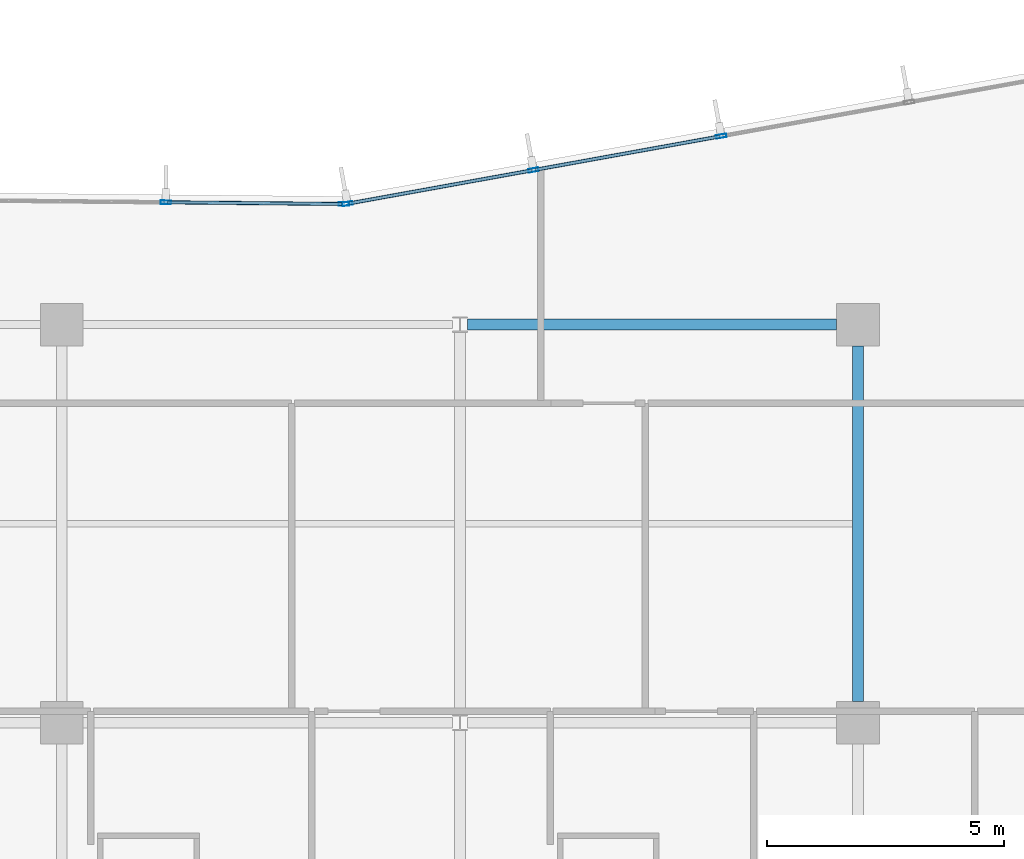
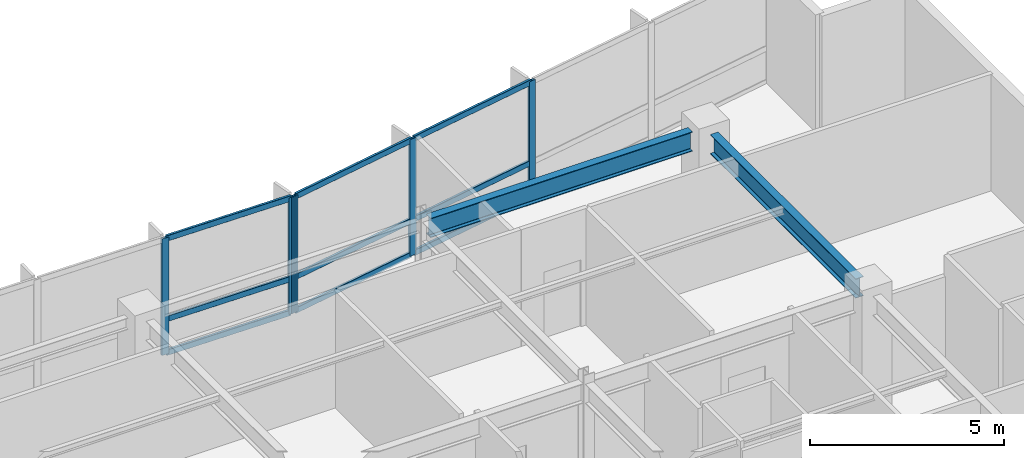
# One storey, part 6 of 19: 14 members, 2 beams, 2 elements without a shape of their own.
"""IFC4 building model written with IfcOpenShell, lengths in metres."""

from ifc_helpers import new_model, si_unit, direction, frame, origin, origin_2d, place, context, subcontext, project, spatial, hollow_rectangle, i_section, extrude, material, layer, layer_set, material_profile, profile_set, type_object, element, aggregate, save


model = new_model("IFC4")

# Units and contexts
model_context = context("Model", 3, precision=1e-05, world=origin(), true_north=direction((0.0, 1.0)))
body_context = subcontext(model_context, "Body", "Model", "MODEL_VIEW")
ifc_project = project(units=[si_unit("LENGTHUNIT", "METRE"), si_unit("AREAUNIT", "SQUARE_METRE"), si_unit("VOLUMEUNIT", "CUBIC_METRE"), si_unit("PLANEANGLEUNIT", "RADIAN"), si_unit("MASSUNIT", "GRAM", prefix="KILO")], contexts=[model_context])

# Site, building, storey
site_placement = place(None, origin())
site = spatial("IfcSite", under=ifc_project, at=site_placement, CompositionType="ELEMENT")
building_placement = place(site_placement, origin())
building = spatial("IfcBuilding", under=site, at=building_placement, Name="Varnakote Quay Hospital", CompositionType="ELEMENT")
storey_placement = place(building_placement, frame((0.0, 0.0, 93.60009765625)))
storey = spatial("IfcBuildingStorey", under=building, at=storey_placement, Name="L23", CompositionType="ELEMENT", Elevation=93.60009765625)

# Beams
ifc_material_1 = material(Name="Structural steel AS/NZS 3679.1 Grade 350 L0 (fy 340 MPa)", Category="steel")
ifc_material_profile_1 = material_profile(ifc_material_1, i_section(OverallWidth=0.22900390625, OverallDepth=0.612060546875, WebThickness=0.011962890625, FlangeThickness=0.01953125, FilletRadius=0.013916015625, at=origin_2d()), Name="610UB125")
ifc_profile_set_1 = profile_set([ifc_material_profile_1], Name="Structural steel AS/NZS 3679.1 Grade 350 L0 (fy 340 MPa)")
beam_type = type_object("IfcBeamType", Name="BM-STL-610UB125", PredefinedType="BEAM", material=ifc_profile_set_1)
beam_1_placement = place(storey_placement, frame((42.155517578125, 28.800048828125, 3.364013671875), z_axis=(1.0, 0.0, 0.0), x_axis=(0.0, 1.0, 0.0)))
element("IfcBeam", 1, at=beam_1_placement, inside=storey, type_object=beam_type, Name="L23 Primary Floor Beam", PredefinedType="BEAM", context=body_context, shape_type="SweptSolid", body=[
    extrude(i_section(OverallWidth=0.22900390625, OverallDepth=0.612060546875, WebThickness=0.011962890625, FlangeThickness=0.01953125, FilletRadius=0.013916015625, at=origin_2d()), origin(), (0.0, 0.0, 1.0), 7.79443359375),
])
beam_2_placement = place(storey_placement, frame((50.39990234375, 20.85009765625, 3.364013671875), z_axis=(0.0, 1.0, 0.0), x_axis=(-1.0, 0.0, 0.0)))
element("IfcBeam", 2, at=beam_2_placement, inside=storey, type_object=beam_type, Name="L23 Primary Tie Beam", PredefinedType="BEAM", context=body_context, shape_type="SweptSolid", body=[
    extrude(i_section(OverallWidth=0.22900390625, OverallDepth=0.612060546875, WebThickness=0.011962890625, FlangeThickness=0.01953125, FilletRadius=0.013916015625, at=origin_2d()), origin(), (0.0, 0.0, 1.0), 7.5),
])

# Curtain wall, members
ifc_material_2 = material(Name="Anodised aluminium 6063-T6 Bronze", Category="aluminium")
ifc_layer = layer(ifc_material_2, 0.18994140625)
ifc_layer_set = layer_set([ifc_layer], Name="Anodised aluminium 6063-T6 Bronze")
curtain_wall_type = type_object("IfcCurtainWallType", Name="CW-SYS-2", PredefinedType="NOTDEFINED", material=ifc_layer_set)
curtain_wall_1_placement = place(storey_placement, origin())
curtain_wall_1 = element("IfcCurtainWall", 3, at=curtain_wall_1_placement, inside=storey, type_object=curtain_wall_type, Name="L23 Unitised Bronze Curtain Wall 1", PredefinedType="NOTDEFINED")
ifc_material_3 = material(Name="Anodised aluminium 6063-T6 Bronze", Category="aluminium")
ifc_material_profile_2 = material_profile(ifc_material_3, hollow_rectangle(XDim=0.074951171875, YDim=0.219970703125, WallThickness=0.00439453125, InnerFilletRadius=0.00439453125, OuterFilletRadius=0.009033203125, at=origin_2d()), Name="CW-MULL-220x75")
ifc_profile_set_2 = profile_set([ifc_material_profile_2], Name="Anodised aluminium 6063-T6 Bronze")
member_type_1 = type_object("IfcMemberType", Name="CW-MULL-220x75", PredefinedType="MULLION", material=ifc_profile_set_2)
member_1_placement = place(storey_placement, frame((47.514892578125, 32.776123046875, 0.0), z_axis=(0.0, 0.0, 1.0), x_axis=(0.177846199098, -0.984058295766, 0.0)))
member_1 = element("IfcMember", 4, at=member_1_placement, type_object=member_type_1, Name="-2-L23-1 mullion 3", PredefinedType="MULLION", context=body_context, shape_type="SweptSolid", body=[
    extrude(hollow_rectangle(XDim=0.074951171875, YDim=0.219970703125, WallThickness=0.00439453125, InnerFilletRadius=0.00439453125, OuterFilletRadius=0.009033203125, at=origin_2d()), origin(), (0.0, 0.0, 1.0), 3.669921875),
])
member_2_placement = place(storey_placement, frame((43.55224609375, 32.06005859375, 0.0), z_axis=(0.0, 0.0, 1.0), x_axis=(0.177846199098, -0.984058295766, 0.0)))
member_2 = element("IfcMember", 5, at=member_2_placement, type_object=member_type_1, Name="-2-L23-1 mullion 4", PredefinedType="MULLION", context=body_context, shape_type="SweptSolid", body=[
    extrude(hollow_rectangle(XDim=0.074951171875, YDim=0.219970703125, WallThickness=0.00439453125, InnerFilletRadius=0.00439453125, OuterFilletRadius=0.009033203125, at=origin_2d()), origin(), (0.0, 0.0, 1.0), 3.669921875),
])
member_3_placement = place(storey_placement, frame((39.62646484375, 31.3505859375, 0.0), z_axis=(0.0, 0.0, 1.0), x_axis=(0.177846199098, -0.984058295766, 0.0)))
member_3 = element("IfcMember", 6, at=member_3_placement, type_object=member_type_1, Name="-2-L23-1 mullion 5", PredefinedType="MULLION", context=body_context, shape_type="SweptSolid", body=[
    extrude(hollow_rectangle(XDim=0.074951171875, YDim=0.219970703125, WallThickness=0.00439453125, InnerFilletRadius=0.00439453125, OuterFilletRadius=0.009033203125, at=origin_2d()), origin(), (0.0, 0.0, 1.0), 3.669921875),
])

curtain_wall_2_placement = place(storey_placement, origin())
curtain_wall_2 = element("IfcCurtainWall", 7, at=curtain_wall_2_placement, inside=storey, type_object=curtain_wall_type, Name="L23 Unitised Bronze Curtain Wall 2", PredefinedType="NOTDEFINED")
member_4_placement = place(storey_placement, frame((39.552001953125, 31.34423828125, 0.0), z_axis=(0.0, 0.0, 1.0), x_axis=(-0.009774266312, -0.999952230718, 0.0)))
member_4 = element("IfcMember", 8, at=member_4_placement, type_object=member_type_1, Name="-2-L23-2 mullion 1", PredefinedType="MULLION", context=body_context, shape_type="SweptSolid", body=[
    extrude(hollow_rectangle(XDim=0.074951171875, YDim=0.219970703125, WallThickness=0.00439453125, InnerFilletRadius=0.00439453125, OuterFilletRadius=0.009033203125, at=origin_2d()), origin(), (0.0, 0.0, 1.0), 3.669921875),
])
member_5_placement = place(storey_placement, frame((35.794189453125, 31.381103515625, 0.0), z_axis=(0.0, 0.0, 1.0), x_axis=(-0.009774266312, -0.999952230718, 0.0)))
member_5 = element("IfcMember", 9, at=member_5_placement, type_object=member_type_1, Name="-2-L23-2 mullion 2", PredefinedType="MULLION", context=body_context, shape_type="SweptSolid", body=[
    extrude(hollow_rectangle(XDim=0.074951171875, YDim=0.219970703125, WallThickness=0.00439453125, InnerFilletRadius=0.00439453125, OuterFilletRadius=0.009033203125, at=origin_2d()), origin(), (0.0, 0.0, 1.0), 3.669921875),
])

# Member
ifc_material_4 = material(Name="Anodised aluminium 6063-T6 Bronze", Category="aluminium")
ifc_material_profile_3 = material_profile(ifc_material_4, hollow_rectangle(XDim=0.074951171875, YDim=0.179931640625, WallThickness=0.004150390625, InnerFilletRadius=0.004150390625, OuterFilletRadius=0.00830078125, at=origin_2d()), Name="CW-TRAN-180x75")
ifc_profile_set_3 = profile_set([ifc_material_profile_3], Name="Anodised aluminium 6063-T6 Bronze")
member_type_2 = type_object("IfcMemberType", Name="CW-TRAN-180x75", PredefinedType="USERDEFINED", material=ifc_profile_set_3)
member_6_placement = place(storey_placement, frame((47.477783203125, 32.76953125, 0.037353515625), z_axis=(-0.98405423478, -0.177868667876, 0.0), x_axis=(0.177868667876, -0.98405423478, 0.0)))
member_6 = element("IfcMember", 10, at=member_6_placement, type_object=member_type_2, Name="-2-L23-1 transom 3.1", ObjectType="TRANSOM", PredefinedType="USERDEFINED", context=body_context, shape_type="SweptSolid", body=[
    extrude(hollow_rectangle(XDim=0.074951171875, YDim=0.179931640625, WallThickness=0.004150390625, InnerFilletRadius=0.004150390625, OuterFilletRadius=0.00830078125, at=origin_2d()), origin(), (0.0, 0.0, 1.0), 3.95166015625),
])

member_7_placement = place(storey_placement, frame((47.477783203125, 32.76953125, 1.099853515625), z_axis=(-0.98405423478, -0.177868667876, 0.0), x_axis=(0.177868667876, -0.98405423478, 0.0)))
member_7 = element("IfcMember", 11, at=member_7_placement, type_object=member_type_2, Name="-2-L23-1 transom 3.2", ObjectType="TRANSOM", PredefinedType="USERDEFINED", context=body_context, shape_type="SweptSolid", body=[
    extrude(hollow_rectangle(XDim=0.074951171875, YDim=0.179931640625, WallThickness=0.004150390625, InnerFilletRadius=0.004150390625, OuterFilletRadius=0.00830078125, at=origin_2d()), origin(), (0.0, 0.0, 1.0), 3.95166015625),
])

member_8_placement = place(storey_placement, frame((47.477783203125, 32.76953125, 3.63232421875), z_axis=(-0.98405423478, -0.177868667876, 0.0), x_axis=(0.177868667876, -0.98405423478, 0.0)))
member_8 = element("IfcMember", 12, at=member_8_placement, type_object=member_type_2, Name="-2-L23-1 transom 3.3", ObjectType="TRANSOM", PredefinedType="USERDEFINED", context=body_context, shape_type="SweptSolid", body=[
    extrude(hollow_rectangle(XDim=0.074951171875, YDim=0.179931640625, WallThickness=0.004150390625, InnerFilletRadius=0.004150390625, OuterFilletRadius=0.00830078125, at=origin_2d()), origin(), (0.0, 0.0, 1.0), 3.95166015625),
])

member_9_placement = place(storey_placement, frame((43.515380859375, 32.053466796875, 0.037353515625), z_axis=(-0.984053005206, -0.177875470329, 0.0), x_axis=(0.177875470329, -0.984053005206, 0.0)))
member_9 = element("IfcMember", 13, at=member_9_placement, type_object=member_type_2, Name="-2-L23-1 transom 4.1", ObjectType="TRANSOM", PredefinedType="USERDEFINED", context=body_context, shape_type="SweptSolid", body=[
    extrude(hollow_rectangle(XDim=0.074951171875, YDim=0.179931640625, WallThickness=0.004150390625, InnerFilletRadius=0.004150390625, OuterFilletRadius=0.00830078125, at=origin_2d()), origin(), (0.0, 0.0, 1.0), 3.91455078125),
])

member_10_placement = place(storey_placement, frame((43.515380859375, 32.053466796875, 1.099853515625), z_axis=(-0.984053005206, -0.177875470329, 0.0), x_axis=(0.177875470329, -0.984053005206, 0.0)))
member_10 = element("IfcMember", 14, at=member_10_placement, type_object=member_type_2, Name="-2-L23-1 transom 4.2", ObjectType="TRANSOM", PredefinedType="USERDEFINED", context=body_context, shape_type="SweptSolid", body=[
    extrude(hollow_rectangle(XDim=0.074951171875, YDim=0.179931640625, WallThickness=0.004150390625, InnerFilletRadius=0.004150390625, OuterFilletRadius=0.00830078125, at=origin_2d()), origin(), (0.0, 0.0, 1.0), 3.91455078125),
])

member_11_placement = place(storey_placement, frame((43.515380859375, 32.053466796875, 3.63232421875), z_axis=(-0.984053005206, -0.177875470329, 0.0), x_axis=(0.177875470329, -0.984053005206, 0.0)))
member_11 = element("IfcMember", 15, at=member_11_placement, type_object=member_type_2, Name="-2-L23-1 transom 4.3", ObjectType="TRANSOM", PredefinedType="USERDEFINED", context=body_context, shape_type="SweptSolid", body=[
    extrude(hollow_rectangle(XDim=0.074951171875, YDim=0.179931640625, WallThickness=0.004150390625, InnerFilletRadius=0.004150390625, OuterFilletRadius=0.00830078125, at=origin_2d()), origin(), (0.0, 0.0, 1.0), 3.91455078125),
])

aggregate(curtain_wall_1, [member_1, member_2, member_3, member_6, member_7, member_8, member_9, member_10, member_11])

member_12_placement = place(storey_placement, frame((39.5146484375, 31.3447265625, 0.037353515625), z_axis=(-0.99995252931, 0.009743671073, 0.0), x_axis=(-0.009743671073, -0.99995252931, 0.0)))
member_12 = element("IfcMember", 16, at=member_12_placement, type_object=member_type_2, Name="-2-L23-2 transom 1.1", ObjectType="TRANSOM", PredefinedType="USERDEFINED", context=body_context, shape_type="SweptSolid", body=[
    extrude(hollow_rectangle(XDim=0.074951171875, YDim=0.179931640625, WallThickness=0.004150390625, InnerFilletRadius=0.004150390625, OuterFilletRadius=0.00830078125, at=origin_2d()), origin(), (0.0, 0.0, 1.0), 3.683349609375),
])

member_13_placement = place(storey_placement, frame((39.5146484375, 31.3447265625, 1.099853515625), z_axis=(-0.99995252931, 0.009743671073, 0.0), x_axis=(-0.009743671073, -0.99995252931, 0.0)))
member_13 = element("IfcMember", 17, at=member_13_placement, type_object=member_type_2, Name="-2-L23-2 transom 1.2", ObjectType="TRANSOM", PredefinedType="USERDEFINED", context=body_context, shape_type="SweptSolid", body=[
    extrude(hollow_rectangle(XDim=0.074951171875, YDim=0.179931640625, WallThickness=0.004150390625, InnerFilletRadius=0.004150390625, OuterFilletRadius=0.00830078125, at=origin_2d()), origin(), (0.0, 0.0, 1.0), 3.683349609375),
])

member_14_placement = place(storey_placement, frame((39.5146484375, 31.3447265625, 3.63232421875), z_axis=(-0.99995252931, 0.009743671073, 0.0), x_axis=(-0.009743671073, -0.99995252931, 0.0)))
member_14 = element("IfcMember", 18, at=member_14_placement, type_object=member_type_2, Name="-2-L23-2 transom 1.3", ObjectType="TRANSOM", PredefinedType="USERDEFINED", context=body_context, shape_type="SweptSolid", body=[
    extrude(hollow_rectangle(XDim=0.074951171875, YDim=0.179931640625, WallThickness=0.004150390625, InnerFilletRadius=0.004150390625, OuterFilletRadius=0.00830078125, at=origin_2d()), origin(), (0.0, 0.0, 1.0), 3.683349609375),
])

aggregate(curtain_wall_2, [member_4, member_5, member_12, member_13, member_14])

save(model, "model.ifc")
